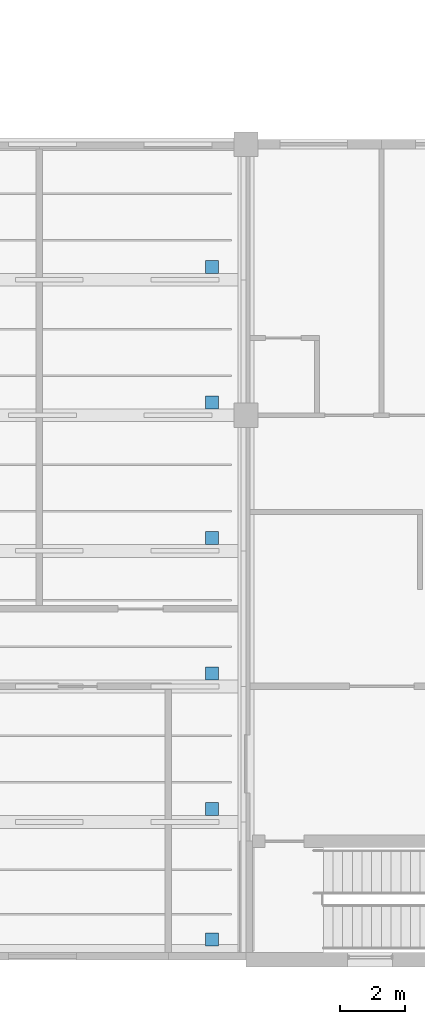
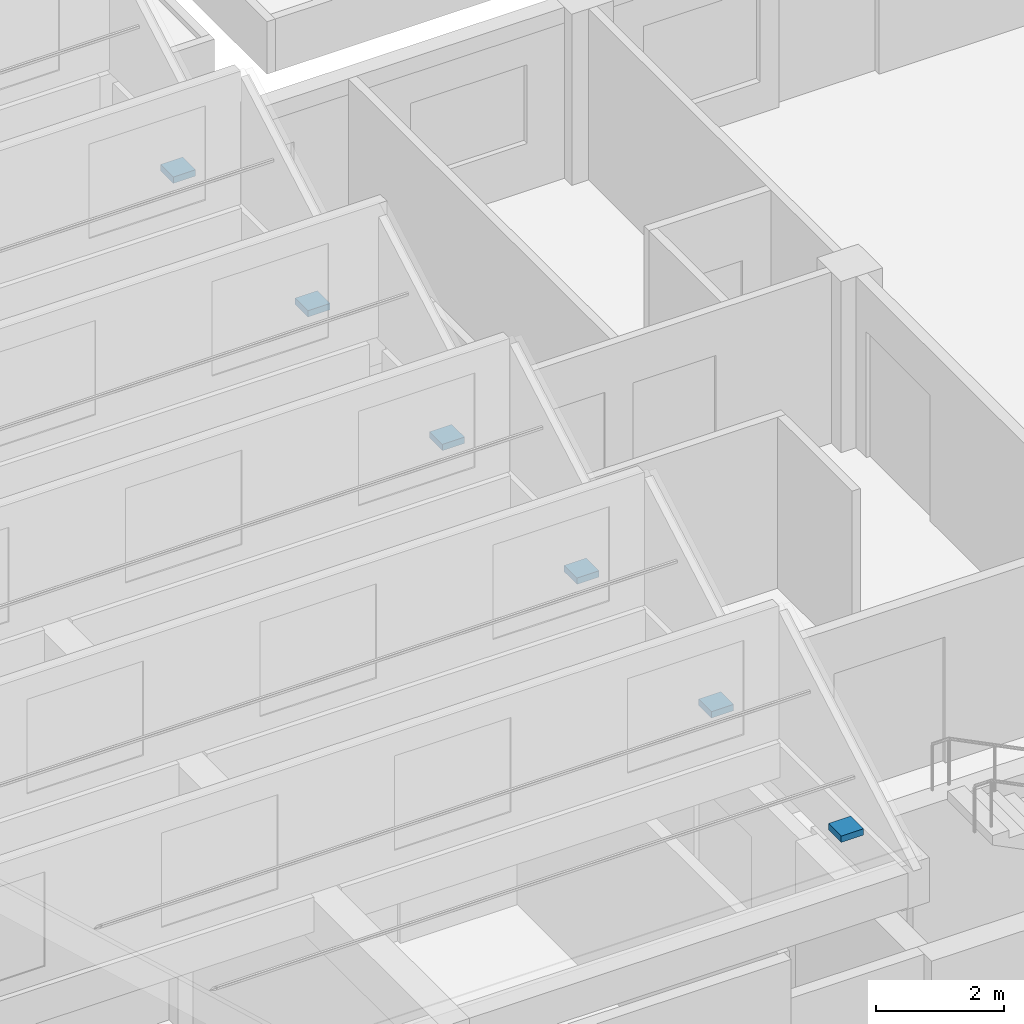
# One storey, part 50 of 61: 6 discrete accessories.
"""IFC4 building model written with IfcOpenShell, lengths in metres."""

from ifc_helpers import new_model, si_unit, direction, frame, origin, origin_2d, place, context, subcontext, project, spatial, rectangle, extrude, material, type_object, element, save


model = new_model("IFC4")

# Units and contexts
model_context = context("Model", 3, precision=1e-05, world=origin(), true_north=direction((0.0, 1.0)))
body_context = subcontext(model_context, "Body", "Model", "MODEL_VIEW")
ifc_project = project(units=[si_unit("LENGTHUNIT", "METRE"), si_unit("AREAUNIT", "SQUARE_METRE"), si_unit("VOLUMEUNIT", "CUBIC_METRE"), si_unit("PLANEANGLEUNIT", "RADIAN"), si_unit("MASSUNIT", "GRAM", prefix="KILO")], contexts=[model_context])

# Site, building, storey
site_placement = place(None, origin())
site = spatial("IfcSite", under=ifc_project, at=site_placement, CompositionType="ELEMENT")
building_placement = place(site_placement, origin())
building = spatial("IfcBuilding", under=site, at=building_placement, Name="Yavir Park General Hospital", CompositionType="ELEMENT")
storey_placement = place(building_placement, frame((0.0, 0.0, 15.300048828125)))
storey = spatial("IfcBuildingStorey", under=building, at=storey_placement, Name="L03", CompositionType="ELEMENT", Elevation=15.300048828125)

# Discrete accessories
ifc_material = material(Name="Cast iron outlet with leaf guard")
discrete_accessory_type = type_object("IfcDiscreteAccessoryType", Name="Roof outlet 400 x 400", PredefinedType="NOTDEFINED", material=ifc_material)
for number, where, z_axis, x_axis, name in (
    (1, (99.75, 0.550048828125, 5.56884765625), (0.0, 0.0, 1.0), (1.0, 0.0, 0.0), "Roof outlet SAW-T01.2"),
    (2, (99.75, 4.60009765625, 5.483154296875), (0.0, 0.0, 1.0), (1.0, 0.0, 0.0), "Roof outlet SAW-T02.2"),
    (3, (99.75, 8.800048828125, 5.483154296875), (0.0, 0.0, 1.0), (1.0, 0.0, 0.0), "Roof outlet SAW-T03.2"),
    (4, (99.75, 13.0, 5.483154296875), (0.0, 0.0, 1.0), (1.0, 0.0, 0.0), "Roof outlet SAW-T04.2"),
    (5, (99.75, 17.199951171875, 5.483154296875), (0.0, 0.0, 1.0), (1.0, 0.0, 0.0), "Roof outlet SAW-T05.2"),
    (6, (99.75, 21.39990234375, 5.483154296875), (0.0, 0.0, 1.0), (1.0, 0.0, 0.0), "Roof outlet SAW-T06.2"),
):
    element("IfcDiscreteAccessory", number, at=place(storey_placement, frame(where, z_axis=z_axis, x_axis=x_axis)), inside=storey, type_object=discrete_accessory_type, Name=name, PredefinedType="NOTDEFINED", context=body_context, shape_type="SweptSolid", body=[
        extrude(rectangle(XDim=0.39990234375, YDim=0.39990234375, at=origin_2d()), origin(), (0.0, 0.0, 1.0), 0.1201171875),
    ])

save(model, "model.ifc")
